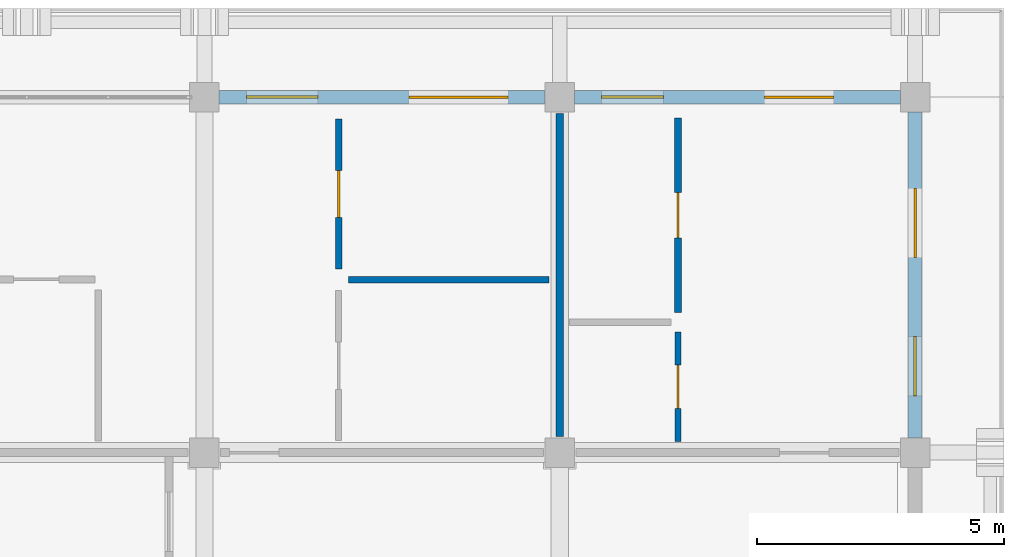
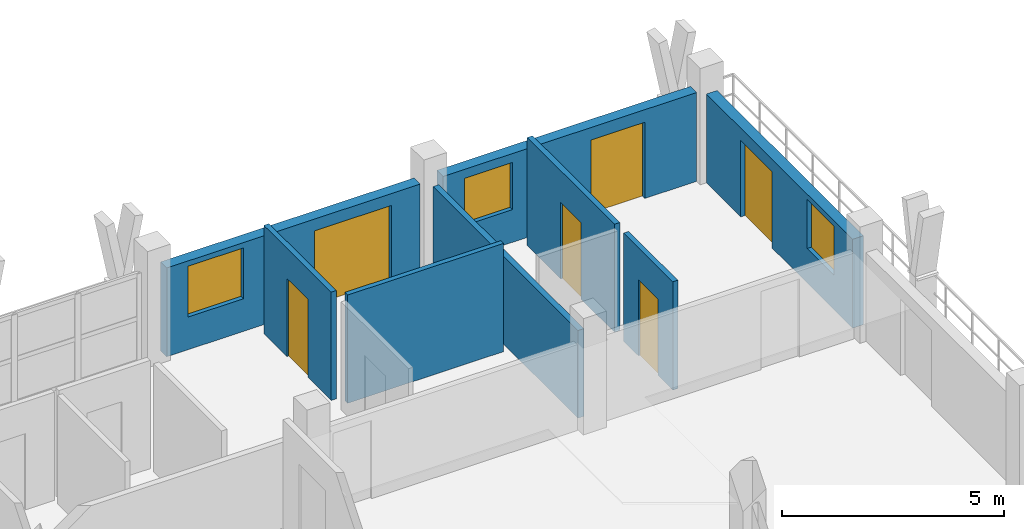
# One storey, part 60 of 76: 8 walls, 6 doors, 3 windows, 9 openings.
"""IFC4 building model written with IfcOpenShell, lengths in metres."""

import ifcopenshell
import ifcopenshell.guid

model = None  # the IFC model being written
_history = None  # IfcOwnerHistory: only IFC2X3 demands one
_inside = {}  # id of a spatial element -> (the spatial element, [elements in it])
_under = {}  # id of a project, library or spatial element -> (it, [spatial elements below it])
_declared = {}  # id of a project -> (the project, [libraries it declares])
_typed = {}  # id of a type object -> (the type object, [elements of that type])
_made_of = {}  # id of a material, layer set ... -> (it, [elements and type objects made of it])


def new_model(schema):
    """Start an empty IFC model of exactly this schema.

    Asked for "IFC4X3", IfcOpenShell would pick the latest addendum, in which some entities
    have other attributes; the version numbers below select the first issue.
    IFC2X3 requires an IfcOwnerHistory on every rooted entity: one is made here for all.
    """
    global model, _history
    if schema == "IFC4X3":
        model = ifcopenshell.file(schema_version=(4, 3, 0, 0))
    else:
        model = ifcopenshell.file(schema=schema)
    _inside.clear()
    _under.clear()
    _declared.clear()
    _typed.clear()
    _made_of.clear()
    _history = None
    if model.schema == "IFC2X3":
        org = make("IfcOrganization", Name="unknown")
        user = make(
            "IfcPersonAndOrganization",
            ThePerson=make("IfcPerson", FamilyName="unknown"),
            TheOrganization=org,
        )
        app = make(
            "IfcApplication",
            ApplicationDeveloper=org,
            Version="unknown",
            ApplicationFullName="unknown",
            ApplicationIdentifier="unknown",
        )
        _history = make(
            "IfcOwnerHistory",
            OwningUser=user,
            OwningApplication=app,
            ChangeAction="ADDED",
            CreationDate=0,
        )
    return model


def make(cls, **values):
    """One entity of the class cls with the attributes given. An attribute that is None is left unset."""
    return model.create_entity(
        cls, **{name: value for name, value in values.items() if value is not None}
    )


def rooted(cls, **values):
    """An entity with a GlobalId (a new one), such as an element, a storey or a relation."""
    return make(cls, GlobalId=ifcopenshell.guid.new(), OwnerHistory=_history, **values)


def si_unit(unit_type, name, prefix=None):
    """IfcSIUnit, for example si_unit("LENGTHUNIT", "METRE", prefix="MILLI")."""
    return make("IfcSIUnit", UnitType=unit_type, Prefix=prefix, Name=name)


def assignment(units):
    """IfcUnitAssignment: the units of a project."""
    return None if units is None else make("IfcUnitAssignment", Units=units)


def point(xyz):
    """IfcCartesianPoint."""
    return None if xyz is None else make("IfcCartesianPoint", Coordinates=xyz)


def direction(xyz):
    """IfcDirection."""
    return None if xyz is None else make("IfcDirection", DirectionRatios=xyz)


def frame(location, z_axis=None, x_axis=None):
    """IfcAxis2Placement3D, a coordinate frame: its origin and axes. An axis left out is left unset."""
    return make(
        "IfcAxis2Placement3D",
        Location=point(location),
        Axis=direction(z_axis),
        RefDirection=direction(x_axis),
    )


def frame_2d(location, x_axis=None):
    """IfcAxis2Placement2D, a coordinate frame in the plane: its origin and x axis."""
    return make(
        "IfcAxis2Placement2D", Location=point(location), RefDirection=direction(x_axis)
    )


def origin():
    """The frame at (0, 0, 0) with its axes left unset."""
    return frame((0.0, 0.0, 0.0))


def place(relative_to, where):
    """IfcLocalPlacement: puts the frame where relative to a parent placement (None: the world)."""
    return make(
        "IfcLocalPlacement", PlacementRelTo=relative_to, RelativePlacement=where
    )


def context(
    kind, dimensions, precision=None, world=None, true_north=None, identifier=None
):
    """IfcGeometricRepresentationContext, for example the 3D "Model" context."""
    return make(
        "IfcGeometricRepresentationContext",
        ContextIdentifier=identifier,
        ContextType=kind,
        CoordinateSpaceDimension=dimensions,
        Precision=precision,
        WorldCoordinateSystem=world,
        TrueNorth=true_north,
    )


def subcontext(parent, identifier, kind, view, scale=None):
    """IfcGeometricRepresentationSubContext, for example "Body" below "Model"."""
    return make(
        "IfcGeometricRepresentationSubContext",
        ContextIdentifier=identifier,
        ContextType=kind,
        ParentContext=parent,
        TargetScale=scale,
        TargetView=view,
    )


def project(units=None, contexts=None):
    """IfcProject with its units and contexts."""
    return rooted(
        "IfcProject",
        Name="project",
        RepresentationContexts=contexts,
        UnitsInContext=assignment(units),
    )


def spatial(cls, under=None, at=None, **own):
    """A site, building, storey or space (cls), placed at a placement, below another one or the project."""
    s = rooted(cls, ObjectPlacement=at, **own)
    if under is not None:
        _under.setdefault(under.id(), (under, []))[1].append(s)
    return s


def profile(cls, at=None, kind="AREA", **sizes):
    """A parametric profile (cls). Its sizes go by their IFC names, for example OverallWidth=200.0."""
    return make(cls, ProfileType=kind, Position=at, **sizes)


def rectangle(**sizes):
    """IfcRectangleProfileDef."""
    return profile("IfcRectangleProfileDef", **sizes)


def extrude(swept, where, along, depth):
    """IfcExtrudedAreaSolid: the profile swept, set in the frame where, extruded along a direction by depth."""
    return make(
        "IfcExtrudedAreaSolid",
        SweptArea=swept,
        Position=where,
        ExtrudedDirection=direction(along),
        Depth=depth,
    )


def shape(context_of_items, identifier, shape_type, items):
    """IfcShapeRepresentation: the items that make up one representation, for example the "Body"."""
    return make(
        "IfcShapeRepresentation",
        ContextOfItems=context_of_items,
        RepresentationIdentifier=identifier,
        RepresentationType=shape_type,
        Items=items,
    )


def material(Name=None, Category=None):
    """IfcMaterial."""
    return make("IfcMaterial", Name=Name, Category=Category)


def layer(
    of_material, thickness, ventilated=None, Name=None, Category=None, Priority=None
):
    """IfcMaterialLayer: one layer of a wall or slab, of a material (None: an air gap)."""
    return make(
        "IfcMaterialLayer",
        Material=of_material,
        LayerThickness=thickness,
        IsVentilated=ventilated,
        Name=Name,
        Category=Category,
        Priority=Priority,
    )


def layer_set(layers, Name=None):
    """IfcMaterialLayerSet."""
    return make("IfcMaterialLayerSet", MaterialLayers=layers, LayerSetName=Name)


def made_of(thing, what):
    """Note that an element or type object is made of a material, layer set ...; save() writes the relation."""
    if what is not None:
        _made_of.setdefault(what.id(), (what, []))[1].append(thing)
    return thing


def type_object(cls, material=None, **own):
    """A type object (cls), such as IfcWallType, which elements share."""
    return made_of(rooted(cls, **own), material)


def element(
    cls,
    number,
    at=None,
    inside=None,
    cuts=None,
    type_object=None,
    material=None,
    context=None,
    identifier="Body",
    shape_type=None,
    held_by="IfcProductDefinitionShape",
    body=None,
    shapes=None,
    **own,
):
    """One element of the class cls, such as IfcWall. Its Tag is "e" and its number.

    at: its placement. inside: the storey or other place that contains it. cuts: it is an
    opening in that element (IfcRelVoidsElement). A single representation is given by context,
    identifier, shape_type and body (its items); several are given by shapes. held_by: the class
    of the entity that holds the representations. save() writes the other relations.
    """
    e = rooted(cls, Tag="e%d" % number, ObjectPlacement=at, **own)
    if body is not None:
        shapes = [shape(context, identifier, shape_type, body)]
    if shapes is not None:
        e.Representation = make(held_by, Representations=shapes)
    if inside is not None:
        _inside.setdefault(inside.id(), (inside, []))[1].append(e)
    if cuts is not None:
        rooted(
            "IfcRelVoidsElement", RelatingBuildingElement=cuts, RelatedOpeningElement=e
        )
    if type_object is not None:
        _typed.setdefault(type_object.id(), (type_object, []))[1].append(e)
    return made_of(e, material)


def fill(opening, filler):
    """IfcRelFillsElement: the door or window that sits in an opening."""
    return rooted(
        "IfcRelFillsElement",
        RelatingOpeningElement=opening,
        RelatedBuildingElement=filler,
    )


def aggregate(whole, parts):
    """IfcRelAggregates: a whole, such as a stair, and the parts it consists of."""
    return rooted("IfcRelAggregates", RelatingObject=whole, RelatedObjects=parts)


def save(model, path):
    """Write the relations noted so far, then the file.

    IfcRelAggregates (storeys below a building ...), IfcRelContainedInSpatialStructure (elements
    in a storey), IfcRelDefinesByType, IfcRelAssociatesMaterial and IfcRelDeclares: one each for
    every whole, place, type object, material and project.
    """
    for whole, parts in _under.values():
        aggregate(whole, parts)
    for where, things in _inside.values():
        rooted(
            "IfcRelContainedInSpatialStructure",
            RelatedElements=things,
            RelatingStructure=where,
        )
    for kind, things in _typed.values():
        rooted("IfcRelDefinesByType", RelatedObjects=things, RelatingType=kind)
    for what, things in _made_of.values():
        rooted("IfcRelAssociatesMaterial", RelatedObjects=things, RelatingMaterial=what)
    for by, libraries in _declared.values():
        rooted("IfcRelDeclares", RelatingContext=by, RelatedDefinitions=libraries)
    model.write(path)


model = new_model("IFC4")

# Units and contexts
model_context = context("Model", 3, precision=1e-05, world=origin(), true_north=direction((0.0, 1.0)))
body_context = subcontext(model_context, "Body", "Model", "MODEL_VIEW")
ifc_project = project(units=[si_unit("LENGTHUNIT", "METRE"), si_unit("AREAUNIT", "SQUARE_METRE"), si_unit("VOLUMEUNIT", "CUBIC_METRE"), si_unit("PLANEANGLEUNIT", "RADIAN"), si_unit("MASSUNIT", "GRAM", prefix="KILO")], contexts=[model_context])

# Site, building, storey
site_placement = place(None, origin())
site = spatial("IfcSite", under=ifc_project, at=site_placement, CompositionType="ELEMENT")
building_placement = place(site_placement, origin())
building = spatial("IfcBuilding", under=site, at=building_placement, Name="Suanplinth Sawtooth Commons", CompositionType="ELEMENT")
storey_placement = place(building_placement, frame((0.0, 0.0, 12.199951171875)))
storey = spatial("IfcBuildingStorey", under=building, at=storey_placement, Name="L03", CompositionType="ELEMENT", Elevation=12.199951171875)

# Wall, openings, door, window
ifc_material_1 = material(Name="Precast concrete C40/50", Category="concrete")
ifc_layer_1 = layer(ifc_material_1, 0.280029296875, Name="Insulated precast architectural facade wall 280mm")
ifc_layer_set_1 = layer_set([ifc_layer_1], Name="Precast concrete C40/50")
wall_type_1 = type_object("IfcWallType", Name="W-EX01", PredefinedType="ELEMENTEDWALL", material=ifc_layer_set_1)
wall_1_placement = place(storey_placement, frame((173.10009765625, 122.39990234375, 0.0), z_axis=(0.0, 0.0, 1.0), x_axis=(1.0, 0.0, 0.0)))
wall_1 = element("IfcWall", 1, at=wall_1_placement, inside=storey, type_object=wall_type_1, Name="Facade Wall W-L03-B-N-24-16", PredefinedType="ELEMENTEDWALL", context=body_context, shape_type="SweptSolid", body=[
    extrude(rectangle(XDim=6.599853515625, YDim=0.280029296875, at=frame_2d((3.2998046875, 0.0))), origin(), (0.0, 0.0, 1.0), 2.445068359375),
])
opening_1_placement = place(wall_1_placement, frame((3.85009765625, 0.0, 0.0)))
opening_1 = element("IfcOpeningElement", 2, at=opening_1_placement, cuts=wall_1, Name="Opening ED0258", PredefinedType="OPENING", context=body_context, shape_type="SweptSolid", body=[
    extrude(rectangle(XDim=2.0, YDim=2.1201171875, at=frame_2d((1.0, 1.06005859375))), frame((0.0, 0.15478515625, 0.0), z_axis=(0.0, -1.0, 0.0), x_axis=(1.0, 0.0, 0.0)), (0.0, 0.0, 1.0), 0.309814453125),
])
opening_2_placement = place(wall_1_placement, frame((0.550048828125, 0.0, 0.89990234375)))
opening_2 = element("IfcOpeningElement", 3, at=opening_2_placement, cuts=wall_1, Name="Opening W0365", PredefinedType="OPENING", context=body_context, shape_type="SweptSolid", body=[
    extrude(rectangle(XDim=1.449951171875, YDim=1.39990234375, at=frame_2d((0.72509765625, 0.699951171875))), frame((0.0, 0.15478515625, 0.0), z_axis=(0.0, -1.0, 0.0), x_axis=(1.0, 0.0, 0.0)), (0.0, 0.0, 1.0), 0.309814453125),
])
ifc_material_2 = material(Name="Anodized aluminium and low-E glass", Category="aluminium")
door_type_1 = type_object("IfcDoorType", Name="SD-06", OperationType="DOUBLE_DOOR_SLIDING", PredefinedType="DOOR", material=ifc_material_2)
door_1_placement = place(opening_1_placement, frame((2.0, 0.0, 0.0), z_axis=(0.0, 0.0, 1.0), x_axis=(-1.0, 0.0, 0.0)))
door_1 = element("IfcDoor", 4, at=door_1_placement, inside=storey, type_object=door_type_1, Name="Balcony Sliding Door L03-B-24", OperationType="DOUBLE_DOOR_SLIDING", OverallHeight=2.1201171875, OverallWidth=2.0, PredefinedType="DOOR", context=body_context, shape_type="SweptSolid", body=[
    extrude(rectangle(XDim=2.0, YDim=2.1201171875, at=frame_2d((1.0, 1.06005859375))), frame((0.0, 0.02490234375, 0.0), z_axis=(0.0, -1.0, 0.0), x_axis=(1.0, 0.0, 0.0)), (0.0, 0.0, 1.0), 0.050048828125),
])
fill(opening_1, door_1)
ifc_material_3 = material(Name="Thermally broken aluminium and low-E double glazing", Category="aluminium")
window_type_1 = type_object("IfcWindowType", Name="WN-16", PartitioningType="DOUBLE_PANEL_VERTICAL", PredefinedType="WINDOW", material=ifc_material_3)
window_1_placement = place(opening_2_placement, origin())
window_1 = element("IfcWindow", 5, at=window_1_placement, inside=storey, type_object=window_type_1, Name="Apartment Window L03-B-24", OverallHeight=1.39990234375, OverallWidth=1.449951171875, PartitioningType="DOUBLE_PANEL_VERTICAL", PredefinedType="WINDOW", context=body_context, shape_type="SweptSolid", body=[
    extrude(rectangle(XDim=1.449951171875, YDim=1.39990234375, at=frame_2d((0.72509765625, 0.699951171875))), frame((0.0, 0.030029296875, 0.0), z_axis=(0.0, -1.0, 0.0), x_axis=(1.0, 0.0, 0.0)), (0.0, 0.0, 1.0), 0.06005859375),
])
fill(opening_2, window_1)

wall_2_placement = place(storey_placement, frame((180.300048828125, 122.39990234375, 0.0), z_axis=(0.0, 0.0, 1.0), x_axis=(1.0, 0.0, 0.0)))
wall_2 = element("IfcWall", 6, at=wall_2_placement, inside=storey, type_object=wall_type_1, Name="Facade Wall W-L03-B-N-25-16", PredefinedType="ELEMENTEDWALL", context=body_context, shape_type="SweptSolid", body=[
    extrude(rectangle(XDim=6.599853515625, YDim=0.280029296875, at=frame_2d((3.2998046875, 0.0))), origin(), (0.0, 0.0, 1.0), 2.445068359375),
])
opening_3_placement = place(wall_2_placement, frame((3.85009765625, 0.0, 0.0)))
opening_3 = element("IfcOpeningElement", 7, at=opening_3_placement, cuts=wall_2, Name="Opening ED0265", PredefinedType="OPENING", context=body_context, shape_type="SweptSolid", body=[
    extrude(rectangle(XDim=1.39990234375, YDim=2.10009765625, at=frame_2d((0.699951171875, 1.050048828125))), frame((0.0, 0.15478515625, 0.0), z_axis=(0.0, -1.0, 0.0), x_axis=(1.0, 0.0, 0.0)), (0.0, 0.0, 1.0), 0.309814453125),
])
opening_4_placement = place(wall_2_placement, frame((0.550048828125, 0.0, 0.89990234375)))
opening_4 = element("IfcOpeningElement", 8, at=opening_4_placement, cuts=wall_2, Name="Opening W0370", PredefinedType="OPENING", context=body_context, shape_type="SweptSolid", body=[
    extrude(rectangle(XDim=1.25, YDim=1.300048828125, at=frame_2d((0.625, 0.64990234375))), frame((0.0, 0.15478515625, 0.0), z_axis=(0.0, -1.0, 0.0), x_axis=(1.0, 0.0, 0.0)), (0.0, 0.0, 1.0), 0.309814453125),
])
door_type_2 = type_object("IfcDoorType", Name="SD-07", OperationType="SLIDING_TO_RIGHT", PredefinedType="DOOR", material=ifc_material_2)
door_2_placement = place(opening_3_placement, frame((1.39990234375, 0.0, 0.0), z_axis=(0.0, 0.0, 1.0), x_axis=(-1.0, 0.0, 0.0)))
door_2 = element("IfcDoor", 9, at=door_2_placement, inside=storey, type_object=door_type_2, Name="Balcony Sliding Door L03-B-25", OperationType="SLIDING_TO_RIGHT", OverallHeight=2.10009765625, OverallWidth=1.39990234375, PredefinedType="DOOR", context=body_context, shape_type="SweptSolid", body=[
    extrude(rectangle(XDim=1.39990234375, YDim=2.10009765625, at=frame_2d((0.699951171875, 1.050048828125))), frame((0.0, 0.02490234375, 0.0), z_axis=(0.0, -1.0, 0.0), x_axis=(1.0, 0.0, 0.0)), (0.0, 0.0, 1.0), 0.050048828125),
])
fill(opening_3, door_2)
window_type_2 = type_object("IfcWindowType", Name="WN-17", PartitioningType="SINGLE_PANEL", PredefinedType="WINDOW", material=ifc_material_3)
window_2_placement = place(opening_4_placement, origin())
window_2 = element("IfcWindow", 10, at=window_2_placement, inside=storey, type_object=window_type_2, Name="Apartment Window L03-B-25", OverallHeight=1.300048828125, OverallWidth=1.25, PartitioningType="SINGLE_PANEL", PredefinedType="WINDOW", context=body_context, shape_type="SweptSolid", body=[
    extrude(rectangle(XDim=1.25, YDim=1.300048828125, at=frame_2d((0.625, 0.64990234375))), frame((0.0, 0.030029296875, 0.0), z_axis=(0.0, -1.0, 0.0), x_axis=(1.0, 0.0, 0.0)), (0.0, 0.0, 1.0), 0.06005859375),
])
fill(opening_4, window_2)

wall_3_placement = place(storey_placement, frame((187.199951171875, 115.5, 0.0), z_axis=(0.0, 0.0, 1.0), x_axis=(0.0, 1.0, 0.0)))
wall_3 = element("IfcWall", 11, at=wall_3_placement, inside=storey, type_object=wall_type_1, Name="Facade Wall W-L03-B-E-25-16", PredefinedType="ELEMENTEDWALL", context=body_context, shape_type="SweptSolid", body=[
    extrude(rectangle(XDim=6.60009765625, YDim=0.280029296875, at=frame_2d((3.300048828125, 0.0))), origin(), (0.0, 0.0, 1.0), 2.445068359375),
])
opening_5_placement = place(wall_3_placement, frame((3.64990234375, 0.0, 0.0)))
opening_5 = element("IfcOpeningElement", 12, at=opening_5_placement, cuts=wall_3, Name="Opening ED0266", PredefinedType="OPENING", context=body_context, shape_type="SweptSolid", body=[
    extrude(rectangle(XDim=1.39990234375, YDim=2.10009765625, at=frame_2d((0.699951171875, 1.050048828125))), frame((0.0, 0.15478515625, 0.0), z_axis=(0.0, -1.0, 0.0), x_axis=(1.0, 0.0, 0.0)), (0.0, 0.0, 1.0), 0.309814453125),
])
opening_6_placement = place(wall_3_placement, frame((0.85009765625, 0.0, 0.949951171875)))
opening_6 = element("IfcOpeningElement", 13, at=opening_6_placement, cuts=wall_3, Name="Opening W0371", PredefinedType="OPENING", context=body_context, shape_type="SweptSolid", body=[
    extrude(rectangle(XDim=1.199951171875, YDim=1.35009765625, at=frame_2d((0.60009765625, 0.675048828125))), frame((0.0, 0.15478515625, 0.0), z_axis=(0.0, -1.0, 0.0), x_axis=(1.0, 0.0, 0.0)), (0.0, 0.0, 1.0), 0.309814453125),
])
door_3_placement = place(opening_5_placement, frame((1.39990234375, 0.0, 0.0), z_axis=(0.0, 0.0, 1.0), x_axis=(-1.0, 0.0, 0.0)))
door_3 = element("IfcDoor", 14, at=door_3_placement, inside=storey, type_object=door_type_2, Name="End Balcony Sliding Door L03-B-E-25-16", OperationType="SLIDING_TO_RIGHT", OverallHeight=2.10009765625, OverallWidth=1.39990234375, PredefinedType="DOOR", context=body_context, shape_type="SweptSolid", body=[
    extrude(rectangle(XDim=1.39990234375, YDim=2.10009765625, at=frame_2d((0.699951171875, 1.050048828125))), frame((0.0, 0.02490234375, 0.0), z_axis=(0.0, -1.0, 0.0), x_axis=(1.0, 0.0, 0.0)), (0.0, 0.0, 1.0), 0.050048828125),
])
fill(opening_5, door_3)
window_type_3 = type_object("IfcWindowType", Name="WN-03", PartitioningType="SINGLE_PANEL", PredefinedType="WINDOW", material=ifc_material_3)
window_3_placement = place(opening_6_placement, origin())
window_3 = element("IfcWindow", 15, at=window_3_placement, inside=storey, type_object=window_type_3, Name="End Bedroom Window L03-B-25-16", OverallHeight=1.35009765625, OverallWidth=1.199951171875, PartitioningType="SINGLE_PANEL", PredefinedType="WINDOW", context=body_context, shape_type="SweptSolid", body=[
    extrude(rectangle(XDim=1.199951171875, YDim=1.35009765625, at=frame_2d((0.60009765625, 0.675048828125))), frame((0.0, 0.030029296875, 0.0), z_axis=(0.0, -1.0, 0.0), x_axis=(1.0, 0.0, 0.0)), (0.0, 0.0, 1.0), 0.06005859375),
])
fill(opening_6, window_3)

# Wall
ifc_layer_2 = layer(ifc_material_1, 0.14990234375, Name="Acoustic precast party demising wall 150mm")
ifc_layer_set_2 = layer_set([ifc_layer_2], Name="Precast concrete C40/50")
wall_type_2 = type_object("IfcWallType", Name="W-FW02", PredefinedType="PARTITIONING", material=ifc_layer_set_2)
wall_4_placement = place(storey_placement, frame((180.0, 115.530029296875, 0.0), z_axis=(0.0, 0.0, 1.0), x_axis=(0.0, 1.0, 0.0)))
element("IfcWall", 16, at=wall_4_placement, inside=storey, type_object=wall_type_2, Name="W-B-L03-U05-PTY", PredefinedType="PARTITIONING", context=body_context, shape_type="SweptSolid", body=[
    extrude(rectangle(XDim=6.5400390625, YDim=0.14990234375, at=frame_2d((3.27001953125, 0.0))), origin(), (0.0, 0.0, 1.0), 2.4150390625),
])

# Wall, opening, door
ifc_material_4 = material(Name="Gypsum plasterboard on steel stud", Category="steel")
ifc_layer_3 = layer(ifc_material_4, 0.139892578125, Name="Fire-rated kitchen partition 140mm")
ifc_layer_set_3 = layer_set([ifc_layer_3], Name="Gypsum plasterboard on steel stud")
wall_type_3 = type_object("IfcWallType", Name="W-PT01", PredefinedType="PARTITIONING", material=ifc_layer_set_3)
wall_5_placement = place(storey_placement, frame((182.39501953125, 118.0400390625, 0.0), z_axis=(0.0, 0.0, 1.0), x_axis=(0.0, 1.0, 0.0)))
wall_5 = element("IfcWall", 17, at=wall_5_placement, inside=storey, type_object=wall_type_3, Name="W-B-L03-U06-KITE", PredefinedType="PARTITIONING", context=body_context, shape_type="SweptSolid", body=[
    extrude(rectangle(XDim=3.93994140625, YDim=0.139892578125, at=frame_2d((1.969970703125, 0.0))), origin(), (0.0, 0.0, 1.0), 2.97998046875),
])
opening_7_placement = place(wall_5_placement, frame((1.510009765625, 0.0, 0.0)))
opening_7 = element("IfcOpeningElement", 18, at=opening_7_placement, cuts=wall_5, Name="Opening D0945", PredefinedType="OPENING", context=body_context, shape_type="SweptSolid", body=[
    extrude(rectangle(XDim=0.919921875, YDim=2.10009765625, at=frame_2d((0.4599609375, 1.050048828125))), frame((0.0, 0.0849609375, 0.0), z_axis=(0.0, -1.0, 0.0), x_axis=(1.0, 0.0, 0.0)), (0.0, 0.0, 1.0), 0.169677734375),
])
ifc_material_5 = material(Name="Teak hardwood", Category="wood")
door_type_3 = type_object("IfcDoorType", Name="D-02", OperationType="NOTDEFINED", PredefinedType="DOOR", material=ifc_material_5)
door_4_placement = place(opening_7_placement, origin())
door_4 = element("IfcDoor", 19, at=door_4_placement, inside=storey, type_object=door_type_3, Name="Kitchen Door D0945", OperationType="SINGLE_SWING_LEFT", OverallHeight=2.10009765625, OverallWidth=0.919921875, PredefinedType="DOOR", context=body_context, shape_type="SweptSolid", body=[
    extrude(rectangle(XDim=0.919921875, YDim=2.10009765625, at=frame_2d((0.4599609375, 1.050048828125))), frame((0.0, 0.02490234375, 0.0), z_axis=(0.0, -1.0, 0.0), x_axis=(1.0, 0.0, 0.0)), (0.0, 0.0, 1.0), 0.050048828125),
])
fill(opening_7, door_4)

ifc_layer_4 = layer(ifc_material_4, 0.1298828125, Name="Moisture-resistant bathroom partition 130mm")
ifc_layer_set_4 = layer_set([ifc_layer_4], Name="Gypsum plasterboard on steel stud")
wall_type_4 = type_object("IfcWallType", Name="W-PT02", PredefinedType="PARTITIONING", material=ifc_layer_set_4)
wall_6_placement = place(storey_placement, frame((182.39501953125, 115.419921875, 0.0), z_axis=(0.0, 0.0, 1.0), x_axis=(0.0, 1.0, 0.0)))
wall_6 = element("IfcWall", 20, at=wall_6_placement, inside=storey, type_object=wall_type_4, Name="W-B-L03-U06-BTHE", PredefinedType="PARTITIONING", context=body_context, shape_type="SweptSolid", body=[
    extrude(rectangle(XDim=2.219970703125, YDim=0.1298828125, at=frame_2d((1.10986328125, 0.0))), origin(), (0.0, 0.0, 1.0), 2.97998046875),
])
opening_8_placement = place(wall_6_placement, frame((0.669921875, 0.0, 0.0)))
opening_8 = element("IfcOpeningElement", 21, at=opening_8_placement, cuts=wall_6, Name="Opening D0944", PredefinedType="OPENING", context=body_context, shape_type="SweptSolid", body=[
    extrude(rectangle(XDim=0.8798828125, YDim=2.10009765625, at=frame_2d((0.43994140625, 1.050048828125))), frame((0.0, 0.079833984375, 0.0), z_axis=(0.0, -1.0, 0.0), x_axis=(1.0, 0.0, 0.0)), (0.0, 0.0, 1.0), 0.15966796875),
])
door_type_4 = type_object("IfcDoorType", Name="D-14", OperationType="NOTDEFINED", PredefinedType="DOOR", material=ifc_material_5)
door_5_placement = place(opening_8_placement, origin())
door_5 = element("IfcDoor", 22, at=door_5_placement, inside=storey, type_object=door_type_4, Name="Bathroom Door D0944", OperationType="SINGLE_SWING_RIGHT", OverallHeight=2.10009765625, OverallWidth=0.8798828125, PredefinedType="DOOR", context=body_context, shape_type="SweptSolid", body=[
    extrude(rectangle(XDim=0.8798828125, YDim=2.10009765625, at=frame_2d((0.43994140625, 1.050048828125))), frame((0.0, 0.02490234375, 0.0), z_axis=(0.0, -1.0, 0.0), x_axis=(1.0, 0.0, 0.0)), (0.0, 0.0, 1.0), 0.050048828125),
])
fill(opening_8, door_5)

# Wall
ifc_layer_5 = layer(ifc_material_4, 0.125, Name="Acoustic study partition 125mm")
ifc_layer_set_5 = layer_set([ifc_layer_5], Name="Gypsum plasterboard on steel stud")
wall_type_5 = type_object("IfcWallType", Name="W-PT06", PredefinedType="PARTITIONING", material=ifc_layer_set_5)
wall_7_placement = place(storey_placement, frame((175.719970703125, 118.699951171875, 0.0), z_axis=(0.0, 0.0, 1.0), x_axis=(1.0, 0.0, 0.0)))
element("IfcWall", 23, at=wall_7_placement, inside=storey, type_object=wall_type_5, Name="W-B-L03-U05-BEDDIV", PredefinedType="PARTITIONING", context=body_context, shape_type="SweptSolid", body=[
    extrude(rectangle(XDim=4.06005859375, YDim=0.125, at=frame_2d((2.030029296875, 0.0))), origin(), (0.0, 0.0, 1.0), 2.97998046875),
])

# Wall, opening, door
ifc_layer_6 = layer(ifc_material_4, 0.135009765625, Name="Insulated bedroom demising partition 135mm")
ifc_layer_set_6 = layer_set([ifc_layer_6], Name="Gypsum plasterboard on steel stud")
wall_type_6 = type_object("IfcWallType", Name="W-PT07", PredefinedType="PARTITIONING", material=ifc_layer_set_6)
wall_8_placement = place(storey_placement, frame((175.52001953125, 118.919921875, 0.0), z_axis=(0.0, 0.0, 1.0), x_axis=(0.0, 1.0, 0.0)))
wall_8 = element("IfcWall", 24, at=wall_8_placement, inside=storey, type_object=wall_type_6, Name="W-B-L03-U05-BED1", PredefinedType="PARTITIONING", context=body_context, shape_type="SweptSolid", body=[
    extrude(rectangle(XDim=3.0400390625, YDim=0.135009765625, at=frame_2d((1.52001953125, 0.0))), origin(), (0.0, 0.0, 1.0), 2.97998046875),
])
opening_9_placement = place(wall_8_placement, frame((1.044921875, 0.0, 0.0)))
opening_9 = element("IfcOpeningElement", 25, at=opening_9_placement, cuts=wall_8, Name="Opening D0941", PredefinedType="OPENING", context=body_context, shape_type="SweptSolid", body=[
    extrude(rectangle(XDim=0.949951171875, YDim=2.14990234375, at=frame_2d((0.47509765625, 1.074951171875))), frame((0.0, 0.08251953125, 0.0), z_axis=(0.0, -1.0, 0.0), x_axis=(1.0, 0.0, 0.0)), (0.0, 0.0, 1.0), 0.164794921875),
])
door_type_5 = type_object("IfcDoorType", Name="D-03", OperationType="NOTDEFINED", PredefinedType="DOOR", material=ifc_material_5)
door_6_placement = place(opening_9_placement, frame((0.949951171875, 0.0, 0.0), z_axis=(0.0, 0.0, 1.0), x_axis=(-1.0, 0.0, 0.0)))
door_6 = element("IfcDoor", 26, at=door_6_placement, inside=storey, type_object=door_type_5, Name="Bedroom Door D0941", OperationType="SINGLE_SWING_LEFT", OverallHeight=2.14990234375, OverallWidth=0.949951171875, PredefinedType="DOOR", context=body_context, shape_type="SweptSolid", body=[
    extrude(rectangle(XDim=0.949951171875, YDim=2.14990234375, at=frame_2d((0.47509765625, 1.074951171875))), frame((0.0, 0.02490234375, 0.0), z_axis=(0.0, -1.0, 0.0), x_axis=(1.0, 0.0, 0.0)), (0.0, 0.0, 1.0), 0.050048828125),
])
fill(opening_9, door_6)

save(model, "model.ifc")
